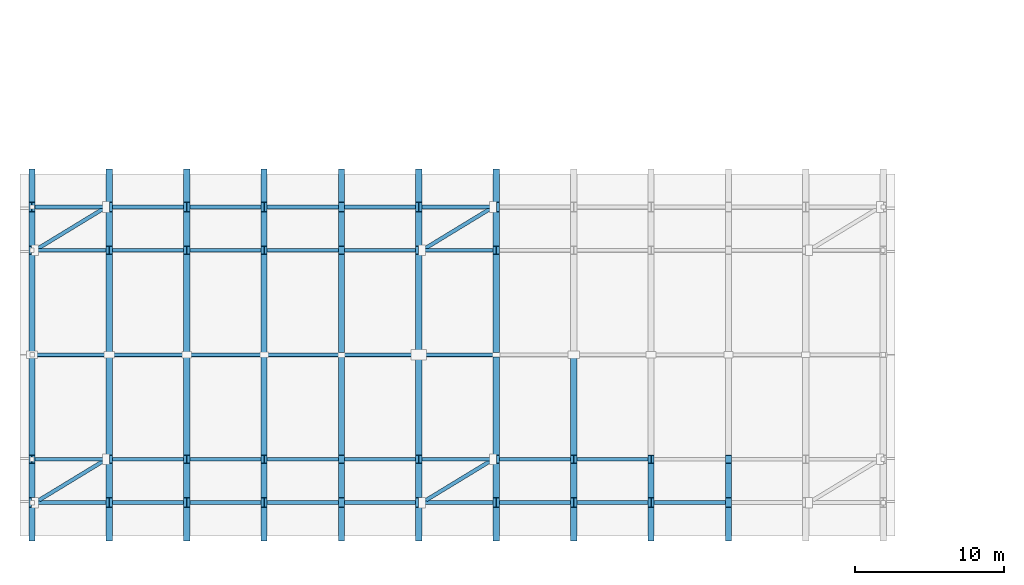
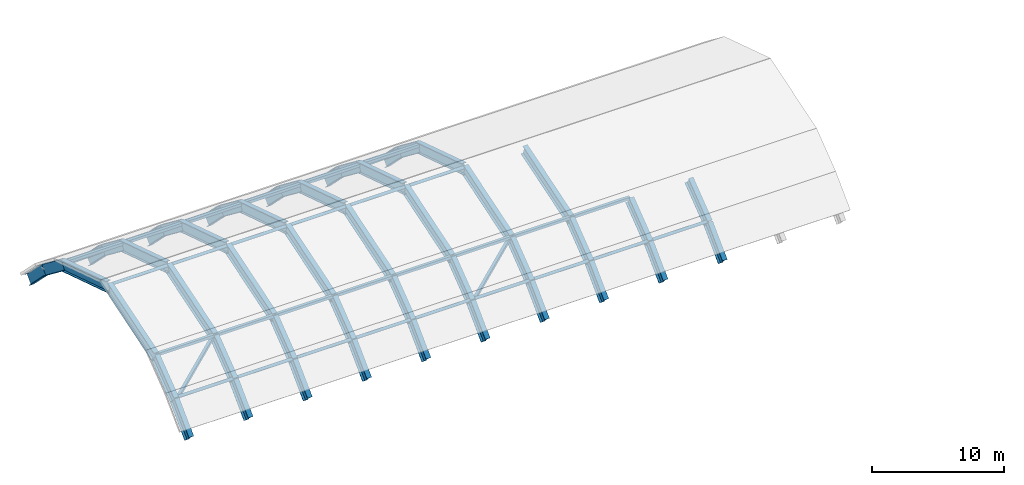
# One storey, part 1 of 6: 49 beams, 39 members.
"""IFC4 building model written with IfcOpenShell, lengths in metres."""

from ifc_helpers import new_model, si_unit, direction, frame, origin, origin_2d, place, context, subcontext, project, spatial, hollow_rectangle, hollow_circle, i_section, extrude, material, material_profile, profile_set, type_object, element, save


model = new_model("IFC4")

# Units and contexts
model_context = context("Model", 3, precision=1e-05, world=origin(), true_north=direction((0.0, 1.0)))
body_context = subcontext(model_context, "Body", "Model", "MODEL_VIEW")
ifc_project = project(units=[si_unit("LENGTHUNIT", "METRE"), si_unit("AREAUNIT", "SQUARE_METRE"), si_unit("VOLUMEUNIT", "CUBIC_METRE"), si_unit("PLANEANGLEUNIT", "RADIAN"), si_unit("MASSUNIT", "GRAM", prefix="KILO")], contexts=[model_context])

# Site, building, storey
site_placement = place(None, origin())
site = spatial("IfcSite", under=ifc_project, at=site_placement, CompositionType="ELEMENT")
building_placement = place(site_placement, origin())
building = spatial("IfcBuilding", under=site, at=building_placement, Name="Solvento Point Concert Hall", CompositionType="ELEMENT")
storey_placement = place(building_placement, frame((0.0, 0.0, 27.89990234375)))
storey = spatial("IfcBuildingStorey", under=building, at=storey_placement, Name="RF", CompositionType="ELEMENT", Elevation=27.89990234375)

# Beams
ifc_material_1 = material(Name="Structural Steel ASTM A992 Grade 50", Category="steel")
ifc_material_profile_1 = material_profile(ifc_material_1, i_section(OverallWidth=0.423095703125, OverallDepth=0.947998046875, WebThickness=0.02392578125, FlangeThickness=0.042724609375, at=origin_2d()), Name="W36X302")
ifc_profile_set_1 = profile_set([ifc_material_profile_1], Name="Structural Steel ASTM A992 Grade 50")
beam_type = type_object("IfcBeamType", Name="ArchRib_W36X302", PredefinedType="BEAM", material=ifc_profile_set_1)
beam_1_placement = place(storey_placement, frame((75.199951171875, 55.837890625, -2.349853515625), z_axis=(0.0, 0.706874752729, 0.707338733532), x_axis=(-1.0, 0.0, 0.0)))
element("IfcBeam", 1, at=beam_1_placement, inside=storey, type_object=beam_type, Name="Steel arch rib AR-01 bay 1 seg 4", PredefinedType="BEAM", context=body_context, shape_type="SweptSolid", body=[
    extrude(i_section(OverallWidth=0.423095703125, OverallDepth=0.947998046875, WebThickness=0.02392578125, FlangeThickness=0.042724609375, at=origin_2d()), origin(), (0.0, 0.0, 1.0), 3.1572265625),
])
beam_2_placement = place(storey_placement, frame((75.199951171875, 58.069580078125, -0.11669921875), z_axis=(0.0, 0.793133559285, 0.609047746188), x_axis=(-1.0, 0.0, 0.0)))
element("IfcBeam", 2, at=beam_2_placement, inside=storey, type_object=beam_type, Name="Steel arch rib AR-01 bay 1 seg 5", PredefinedType="BEAM", context=body_context, shape_type="SweptSolid", body=[
    extrude(i_section(OverallWidth=0.423095703125, OverallDepth=0.947998046875, WebThickness=0.02392578125, FlangeThickness=0.042724609375, at=origin_2d()), origin(), (0.0, 0.0, 1.0), 3.6669921875),
])
for number, where, z_axis, x_axis, name in (
    (3, (75.199951171875, 60.97802734375, 2.11669921875), (0.0, 0.952959714751, 0.303096984582), (-1.0, 0.0, 0.0), "Steel arch rib AR-01 bay 1 seg 6"),
    (4, (75.199951171875, 68.0, 4.35009765625), (0.0, 0.952959714751, -0.303096984582), (-1.0, 0.0, 0.0), "Steel arch rib AR-01 bay 1 seg 7"),
):
    element("IfcBeam", number, at=place(storey_placement, frame(where, z_axis=z_axis, x_axis=x_axis)), inside=storey, type_object=beam_type, Name=name, PredefinedType="BEAM", context=body_context, shape_type="SweptSolid", body=[
        extrude(i_section(OverallWidth=0.423095703125, OverallDepth=0.947998046875, WebThickness=0.02392578125, FlangeThickness=0.042724609375, at=origin_2d()), origin(), (0.0, 0.0, 1.0), 7.36865234375),
    ])
beam_3_placement = place(storey_placement, frame((75.199951171875, 75.02197265625, 2.11669921875), z_axis=(0.0, 0.793133559285, -0.609047746188), x_axis=(-1.0, 0.0, 0.0)))
element("IfcBeam", 5, at=beam_3_placement, inside=storey, type_object=beam_type, Name="Steel arch rib AR-01 bay 1 seg 8", PredefinedType="BEAM", context=body_context, shape_type="SweptSolid", body=[
    extrude(i_section(OverallWidth=0.423095703125, OverallDepth=0.947998046875, WebThickness=0.02392578125, FlangeThickness=0.042724609375, at=origin_2d()), origin(), (0.0, 0.0, 1.0), 3.6669921875),
])
for number, where, z_axis, x_axis, name in (
    (6, (75.199951171875, 77.930419921875, -0.11669921875), (0.0, 0.706874752729, -0.707338733532), (-1.0, 0.0, 0.0), "Steel arch rib AR-01 bay 1 seg 9"),
    (7, (80.39990234375, 55.837890625, -2.349853515625), (0.0, 0.706874752729, 0.707338733532), (-1.0, 0.0, 0.0), "Steel arch rib AR-01 bay 2 seg 4"),
):
    element("IfcBeam", number, at=place(storey_placement, frame(where, z_axis=z_axis, x_axis=x_axis)), inside=storey, type_object=beam_type, Name=name, PredefinedType="BEAM", context=body_context, shape_type="SweptSolid", body=[
        extrude(i_section(OverallWidth=0.423095703125, OverallDepth=0.947998046875, WebThickness=0.02392578125, FlangeThickness=0.042724609375, at=origin_2d()), origin(), (0.0, 0.0, 1.0), 3.1572265625),
    ])
beam_4_placement = place(storey_placement, frame((80.39990234375, 58.069580078125, -0.11669921875), z_axis=(0.0, 0.793133559285, 0.609047746188), x_axis=(-1.0, 0.0, 0.0)))
element("IfcBeam", 8, at=beam_4_placement, inside=storey, type_object=beam_type, Name="Steel arch rib AR-01 bay 2 seg 5", PredefinedType="BEAM", context=body_context, shape_type="SweptSolid", body=[
    extrude(i_section(OverallWidth=0.423095703125, OverallDepth=0.947998046875, WebThickness=0.02392578125, FlangeThickness=0.042724609375, at=origin_2d()), origin(), (0.0, 0.0, 1.0), 3.6669921875),
])
for number, where, z_axis, x_axis, name in (
    (9, (80.39990234375, 60.97802734375, 2.11669921875), (0.0, 0.952959714751, 0.303096984582), (-1.0, 0.0, 0.0), "Steel arch rib AR-01 bay 2 seg 6"),
    (10, (80.39990234375, 68.0, 4.35009765625), (0.0, 0.952959714751, -0.303096984582), (-1.0, 0.0, 0.0), "Steel arch rib AR-01 bay 2 seg 7"),
):
    element("IfcBeam", number, at=place(storey_placement, frame(where, z_axis=z_axis, x_axis=x_axis)), inside=storey, type_object=beam_type, Name=name, PredefinedType="BEAM", context=body_context, shape_type="SweptSolid", body=[
        extrude(i_section(OverallWidth=0.423095703125, OverallDepth=0.947998046875, WebThickness=0.02392578125, FlangeThickness=0.042724609375, at=origin_2d()), origin(), (0.0, 0.0, 1.0), 7.36865234375),
    ])
beam_5_placement = place(storey_placement, frame((80.39990234375, 75.02197265625, 2.11669921875), z_axis=(0.0, 0.793133559285, -0.609047746188), x_axis=(-1.0, 0.0, 0.0)))
element("IfcBeam", 11, at=beam_5_placement, inside=storey, type_object=beam_type, Name="Steel arch rib AR-01 bay 2 seg 8", PredefinedType="BEAM", context=body_context, shape_type="SweptSolid", body=[
    extrude(i_section(OverallWidth=0.423095703125, OverallDepth=0.947998046875, WebThickness=0.02392578125, FlangeThickness=0.042724609375, at=origin_2d()), origin(), (0.0, 0.0, 1.0), 3.6669921875),
])
for number, where, z_axis, x_axis, name in (
    (12, (80.39990234375, 77.930419921875, -0.11669921875), (0.0, 0.706874752729, -0.707338733532), (-1.0, 0.0, 0.0), "Steel arch rib AR-01 bay 2 seg 9"),
    (13, (85.60009765625, 55.837890625, -2.349853515625), (0.0, 0.706874752729, 0.707338733532), (-1.0, 0.0, 0.0), "Steel arch rib AR-01 bay 3 seg 4"),
):
    element("IfcBeam", number, at=place(storey_placement, frame(where, z_axis=z_axis, x_axis=x_axis)), inside=storey, type_object=beam_type, Name=name, PredefinedType="BEAM", context=body_context, shape_type="SweptSolid", body=[
        extrude(i_section(OverallWidth=0.423095703125, OverallDepth=0.947998046875, WebThickness=0.02392578125, FlangeThickness=0.042724609375, at=origin_2d()), origin(), (0.0, 0.0, 1.0), 3.1572265625),
    ])
beam_6_placement = place(storey_placement, frame((85.60009765625, 58.069580078125, -0.11669921875), z_axis=(0.0, 0.793133559285, 0.609047746188), x_axis=(-1.0, 0.0, 0.0)))
element("IfcBeam", 14, at=beam_6_placement, inside=storey, type_object=beam_type, Name="Steel arch rib AR-01 bay 3 seg 5", PredefinedType="BEAM", context=body_context, shape_type="SweptSolid", body=[
    extrude(i_section(OverallWidth=0.423095703125, OverallDepth=0.947998046875, WebThickness=0.02392578125, FlangeThickness=0.042724609375, at=origin_2d()), origin(), (0.0, 0.0, 1.0), 3.6669921875),
])
for number, where, z_axis, x_axis, name in (
    (15, (85.60009765625, 60.97802734375, 2.11669921875), (0.0, 0.952959714751, 0.303096984582), (-1.0, 0.0, 0.0), "Steel arch rib AR-01 bay 3 seg 6"),
    (16, (85.60009765625, 68.0, 4.35009765625), (0.0, 0.952959714751, -0.303096984582), (-1.0, 0.0, 0.0), "Steel arch rib AR-01 bay 3 seg 7"),
):
    element("IfcBeam", number, at=place(storey_placement, frame(where, z_axis=z_axis, x_axis=x_axis)), inside=storey, type_object=beam_type, Name=name, PredefinedType="BEAM", context=body_context, shape_type="SweptSolid", body=[
        extrude(i_section(OverallWidth=0.423095703125, OverallDepth=0.947998046875, WebThickness=0.02392578125, FlangeThickness=0.042724609375, at=origin_2d()), origin(), (0.0, 0.0, 1.0), 7.36865234375),
    ])
beam_7_placement = place(storey_placement, frame((85.60009765625, 75.02197265625, 2.11669921875), z_axis=(0.0, 0.793133559285, -0.609047746188), x_axis=(-1.0, 0.0, 0.0)))
element("IfcBeam", 17, at=beam_7_placement, inside=storey, type_object=beam_type, Name="Steel arch rib AR-01 bay 3 seg 8", PredefinedType="BEAM", context=body_context, shape_type="SweptSolid", body=[
    extrude(i_section(OverallWidth=0.423095703125, OverallDepth=0.947998046875, WebThickness=0.02392578125, FlangeThickness=0.042724609375, at=origin_2d()), origin(), (0.0, 0.0, 1.0), 3.6669921875),
])
for number, where, z_axis, x_axis, name in (
    (18, (85.60009765625, 77.930419921875, -0.11669921875), (0.0, 0.706874752729, -0.707338733532), (-1.0, 0.0, 0.0), "Steel arch rib AR-01 bay 3 seg 9"),
    (19, (90.800048828125, 55.837890625, -2.349853515625), (0.0, 0.706874752729, 0.707338733532), (-1.0, 0.0, 0.0), "Steel arch rib AR-01 bay 4 seg 4"),
):
    element("IfcBeam", number, at=place(storey_placement, frame(where, z_axis=z_axis, x_axis=x_axis)), inside=storey, type_object=beam_type, Name=name, PredefinedType="BEAM", context=body_context, shape_type="SweptSolid", body=[
        extrude(i_section(OverallWidth=0.423095703125, OverallDepth=0.947998046875, WebThickness=0.02392578125, FlangeThickness=0.042724609375, at=origin_2d()), origin(), (0.0, 0.0, 1.0), 3.1572265625),
    ])
beam_8_placement = place(storey_placement, frame((90.800048828125, 58.069580078125, -0.11669921875), z_axis=(0.0, 0.793133559285, 0.609047746188), x_axis=(-1.0, 0.0, 0.0)))
element("IfcBeam", 20, at=beam_8_placement, inside=storey, type_object=beam_type, Name="Steel arch rib AR-01 bay 4 seg 5", PredefinedType="BEAM", context=body_context, shape_type="SweptSolid", body=[
    extrude(i_section(OverallWidth=0.423095703125, OverallDepth=0.947998046875, WebThickness=0.02392578125, FlangeThickness=0.042724609375, at=origin_2d()), origin(), (0.0, 0.0, 1.0), 3.6669921875),
])
for number, where, z_axis, x_axis, name in (
    (21, (90.800048828125, 60.97802734375, 2.11669921875), (0.0, 0.952959714751, 0.303096984582), (-1.0, 0.0, 0.0), "Steel arch rib AR-01 bay 4 seg 6"),
    (22, (90.800048828125, 68.0, 4.35009765625), (0.0, 0.952959714751, -0.303096984582), (-1.0, 0.0, 0.0), "Steel arch rib AR-01 bay 4 seg 7"),
):
    element("IfcBeam", number, at=place(storey_placement, frame(where, z_axis=z_axis, x_axis=x_axis)), inside=storey, type_object=beam_type, Name=name, PredefinedType="BEAM", context=body_context, shape_type="SweptSolid", body=[
        extrude(i_section(OverallWidth=0.423095703125, OverallDepth=0.947998046875, WebThickness=0.02392578125, FlangeThickness=0.042724609375, at=origin_2d()), origin(), (0.0, 0.0, 1.0), 7.36865234375),
    ])
beam_9_placement = place(storey_placement, frame((90.800048828125, 75.02197265625, 2.11669921875), z_axis=(0.0, 0.793133559285, -0.609047746188), x_axis=(-1.0, 0.0, 0.0)))
element("IfcBeam", 23, at=beam_9_placement, inside=storey, type_object=beam_type, Name="Steel arch rib AR-01 bay 4 seg 8", PredefinedType="BEAM", context=body_context, shape_type="SweptSolid", body=[
    extrude(i_section(OverallWidth=0.423095703125, OverallDepth=0.947998046875, WebThickness=0.02392578125, FlangeThickness=0.042724609375, at=origin_2d()), origin(), (0.0, 0.0, 1.0), 3.6669921875),
])
for number, where, z_axis, x_axis, name in (
    (24, (90.800048828125, 77.930419921875, -0.11669921875), (0.0, 0.706874752729, -0.707338733532), (-1.0, 0.0, 0.0), "Steel arch rib AR-01 bay 4 seg 9"),
    (25, (96.0, 55.837890625, -2.349853515625), (0.0, 0.706874752729, 0.707338733532), (-1.0, 0.0, 0.0), "Steel arch rib AR-01 bay 5 seg 4"),
):
    element("IfcBeam", number, at=place(storey_placement, frame(where, z_axis=z_axis, x_axis=x_axis)), inside=storey, type_object=beam_type, Name=name, PredefinedType="BEAM", context=body_context, shape_type="SweptSolid", body=[
        extrude(i_section(OverallWidth=0.423095703125, OverallDepth=0.947998046875, WebThickness=0.02392578125, FlangeThickness=0.042724609375, at=origin_2d()), origin(), (0.0, 0.0, 1.0), 3.1572265625),
    ])
beam_10_placement = place(storey_placement, frame((96.0, 58.069580078125, -0.11669921875), z_axis=(0.0, 0.793133559285, 0.609047746188), x_axis=(-1.0, 0.0, 0.0)))
element("IfcBeam", 26, at=beam_10_placement, inside=storey, type_object=beam_type, Name="Steel arch rib AR-01 bay 5 seg 5", PredefinedType="BEAM", context=body_context, shape_type="SweptSolid", body=[
    extrude(i_section(OverallWidth=0.423095703125, OverallDepth=0.947998046875, WebThickness=0.02392578125, FlangeThickness=0.042724609375, at=origin_2d()), origin(), (0.0, 0.0, 1.0), 3.6669921875),
])
for number, where, z_axis, x_axis, name in (
    (27, (96.0, 60.97802734375, 2.11669921875), (0.0, 0.952959714751, 0.303096984582), (-1.0, 0.0, 0.0), "Steel arch rib AR-01 bay 5 seg 6"),
    (28, (96.0, 68.0, 4.35009765625), (0.0, 0.952959714751, -0.303096984582), (-1.0, 0.0, 0.0), "Steel arch rib AR-01 bay 5 seg 7"),
):
    element("IfcBeam", number, at=place(storey_placement, frame(where, z_axis=z_axis, x_axis=x_axis)), inside=storey, type_object=beam_type, Name=name, PredefinedType="BEAM", context=body_context, shape_type="SweptSolid", body=[
        extrude(i_section(OverallWidth=0.423095703125, OverallDepth=0.947998046875, WebThickness=0.02392578125, FlangeThickness=0.042724609375, at=origin_2d()), origin(), (0.0, 0.0, 1.0), 7.36865234375),
    ])
beam_11_placement = place(storey_placement, frame((96.0, 75.02197265625, 2.11669921875), z_axis=(0.0, 0.793133559285, -0.609047746188), x_axis=(-1.0, 0.0, 0.0)))
element("IfcBeam", 29, at=beam_11_placement, inside=storey, type_object=beam_type, Name="Steel arch rib AR-01 bay 5 seg 8", PredefinedType="BEAM", context=body_context, shape_type="SweptSolid", body=[
    extrude(i_section(OverallWidth=0.423095703125, OverallDepth=0.947998046875, WebThickness=0.02392578125, FlangeThickness=0.042724609375, at=origin_2d()), origin(), (0.0, 0.0, 1.0), 3.6669921875),
])
for number, where, z_axis, x_axis, name in (
    (30, (96.0, 77.930419921875, -0.11669921875), (0.0, 0.706874752729, -0.707338733532), (-1.0, 0.0, 0.0), "Steel arch rib AR-01 bay 5 seg 9"),
    (31, (101.199951171875, 55.837890625, -2.349853515625), (0.0, 0.706874752729, 0.707338733532), (-1.0, 0.0, 0.0), "Steel arch rib AR-01 bay 6 seg 4"),
):
    element("IfcBeam", number, at=place(storey_placement, frame(where, z_axis=z_axis, x_axis=x_axis)), inside=storey, type_object=beam_type, Name=name, PredefinedType="BEAM", context=body_context, shape_type="SweptSolid", body=[
        extrude(i_section(OverallWidth=0.423095703125, OverallDepth=0.947998046875, WebThickness=0.02392578125, FlangeThickness=0.042724609375, at=origin_2d()), origin(), (0.0, 0.0, 1.0), 3.1572265625),
    ])
beam_12_placement = place(storey_placement, frame((101.199951171875, 58.069580078125, -0.11669921875), z_axis=(0.0, 0.793133559285, 0.609047746188), x_axis=(-1.0, 0.0, 0.0)))
element("IfcBeam", 32, at=beam_12_placement, inside=storey, type_object=beam_type, Name="Steel arch rib AR-01 bay 6 seg 5", PredefinedType="BEAM", context=body_context, shape_type="SweptSolid", body=[
    extrude(i_section(OverallWidth=0.423095703125, OverallDepth=0.947998046875, WebThickness=0.02392578125, FlangeThickness=0.042724609375, at=origin_2d()), origin(), (0.0, 0.0, 1.0), 3.6669921875),
])
for number, where, z_axis, x_axis, name in (
    (33, (101.199951171875, 60.97802734375, 2.11669921875), (0.0, 0.952959714751, 0.303096984582), (-1.0, 0.0, 0.0), "Steel arch rib AR-01 bay 6 seg 6"),
    (34, (101.199951171875, 68.0, 4.35009765625), (0.0, 0.952959714751, -0.303096984582), (-1.0, 0.0, 0.0), "Steel arch rib AR-01 bay 6 seg 7"),
):
    element("IfcBeam", number, at=place(storey_placement, frame(where, z_axis=z_axis, x_axis=x_axis)), inside=storey, type_object=beam_type, Name=name, PredefinedType="BEAM", context=body_context, shape_type="SweptSolid", body=[
        extrude(i_section(OverallWidth=0.423095703125, OverallDepth=0.947998046875, WebThickness=0.02392578125, FlangeThickness=0.042724609375, at=origin_2d()), origin(), (0.0, 0.0, 1.0), 7.36865234375),
    ])
beam_13_placement = place(storey_placement, frame((101.199951171875, 75.02197265625, 2.11669921875), z_axis=(0.0, 0.793133559285, -0.609047746188), x_axis=(-1.0, 0.0, 0.0)))
element("IfcBeam", 35, at=beam_13_placement, inside=storey, type_object=beam_type, Name="Steel arch rib AR-01 bay 6 seg 8", PredefinedType="BEAM", context=body_context, shape_type="SweptSolid", body=[
    extrude(i_section(OverallWidth=0.423095703125, OverallDepth=0.947998046875, WebThickness=0.02392578125, FlangeThickness=0.042724609375, at=origin_2d()), origin(), (0.0, 0.0, 1.0), 3.6669921875),
])
for number, where, z_axis, x_axis, name in (
    (36, (101.199951171875, 77.930419921875, -0.11669921875), (0.0, 0.706874752729, -0.707338733532), (-1.0, 0.0, 0.0), "Steel arch rib AR-01 bay 6 seg 9"),
    (37, (106.39990234375, 55.837890625, -2.349853515625), (0.0, 0.706874752729, 0.707338733532), (-1.0, 0.0, 0.0), "Steel arch rib AR-01 bay 7 seg 4"),
):
    element("IfcBeam", number, at=place(storey_placement, frame(where, z_axis=z_axis, x_axis=x_axis)), inside=storey, type_object=beam_type, Name=name, PredefinedType="BEAM", context=body_context, shape_type="SweptSolid", body=[
        extrude(i_section(OverallWidth=0.423095703125, OverallDepth=0.947998046875, WebThickness=0.02392578125, FlangeThickness=0.042724609375, at=origin_2d()), origin(), (0.0, 0.0, 1.0), 3.1572265625),
    ])
beam_14_placement = place(storey_placement, frame((106.39990234375, 58.069580078125, -0.11669921875), z_axis=(0.0, 0.793133559285, 0.609047746188), x_axis=(-1.0, 0.0, 0.0)))
element("IfcBeam", 38, at=beam_14_placement, inside=storey, type_object=beam_type, Name="Steel arch rib AR-01 bay 7 seg 5", PredefinedType="BEAM", context=body_context, shape_type="SweptSolid", body=[
    extrude(i_section(OverallWidth=0.423095703125, OverallDepth=0.947998046875, WebThickness=0.02392578125, FlangeThickness=0.042724609375, at=origin_2d()), origin(), (0.0, 0.0, 1.0), 3.6669921875),
])
for number, where, z_axis, x_axis, name in (
    (39, (106.39990234375, 60.97802734375, 2.11669921875), (0.0, 0.952959714751, 0.303096984582), (-1.0, 0.0, 0.0), "Steel arch rib AR-01 bay 7 seg 6"),
    (40, (106.39990234375, 68.0, 4.35009765625), (0.0, 0.952959714751, -0.303096984582), (-1.0, 0.0, 0.0), "Steel arch rib AR-01 bay 7 seg 7"),
):
    element("IfcBeam", number, at=place(storey_placement, frame(where, z_axis=z_axis, x_axis=x_axis)), inside=storey, type_object=beam_type, Name=name, PredefinedType="BEAM", context=body_context, shape_type="SweptSolid", body=[
        extrude(i_section(OverallWidth=0.423095703125, OverallDepth=0.947998046875, WebThickness=0.02392578125, FlangeThickness=0.042724609375, at=origin_2d()), origin(), (0.0, 0.0, 1.0), 7.36865234375),
    ])
beam_15_placement = place(storey_placement, frame((106.39990234375, 75.02197265625, 2.11669921875), z_axis=(0.0, 0.793133559285, -0.609047746188), x_axis=(-1.0, 0.0, 0.0)))
element("IfcBeam", 41, at=beam_15_placement, inside=storey, type_object=beam_type, Name="Steel arch rib AR-01 bay 7 seg 8", PredefinedType="BEAM", context=body_context, shape_type="SweptSolid", body=[
    extrude(i_section(OverallWidth=0.423095703125, OverallDepth=0.947998046875, WebThickness=0.02392578125, FlangeThickness=0.042724609375, at=origin_2d()), origin(), (0.0, 0.0, 1.0), 3.6669921875),
])
for number, where, z_axis, x_axis, name in (
    (42, (106.39990234375, 77.930419921875, -0.11669921875), (0.0, 0.706874752729, -0.707338733532), (-1.0, 0.0, 0.0), "Steel arch rib AR-01 bay 7 seg 9"),
    (43, (111.60009765625, 55.837890625, -2.349853515625), (0.0, 0.706874752729, 0.707338733532), (-1.0, 0.0, 0.0), "Steel arch rib AR-01 bay 8 seg 4"),
):
    element("IfcBeam", number, at=place(storey_placement, frame(where, z_axis=z_axis, x_axis=x_axis)), inside=storey, type_object=beam_type, Name=name, PredefinedType="BEAM", context=body_context, shape_type="SweptSolid", body=[
        extrude(i_section(OverallWidth=0.423095703125, OverallDepth=0.947998046875, WebThickness=0.02392578125, FlangeThickness=0.042724609375, at=origin_2d()), origin(), (0.0, 0.0, 1.0), 3.1572265625),
    ])
beam_16_placement = place(storey_placement, frame((111.60009765625, 58.069580078125, -0.11669921875), z_axis=(0.0, 0.793133559285, 0.609047746188), x_axis=(-1.0, 0.0, 0.0)))
element("IfcBeam", 44, at=beam_16_placement, inside=storey, type_object=beam_type, Name="Steel arch rib AR-01 bay 8 seg 5", PredefinedType="BEAM", context=body_context, shape_type="SweptSolid", body=[
    extrude(i_section(OverallWidth=0.423095703125, OverallDepth=0.947998046875, WebThickness=0.02392578125, FlangeThickness=0.042724609375, at=origin_2d()), origin(), (0.0, 0.0, 1.0), 3.6669921875),
])
beam_17_placement = place(storey_placement, frame((111.60009765625, 60.97802734375, 2.11669921875), z_axis=(0.0, 0.952959714751, 0.303096984582), x_axis=(-1.0, 0.0, 0.0)))
element("IfcBeam", 45, at=beam_17_placement, inside=storey, type_object=beam_type, Name="Steel arch rib AR-01 bay 8 seg 6", PredefinedType="BEAM", context=body_context, shape_type="SweptSolid", body=[
    extrude(i_section(OverallWidth=0.423095703125, OverallDepth=0.947998046875, WebThickness=0.02392578125, FlangeThickness=0.042724609375, at=origin_2d()), origin(), (0.0, 0.0, 1.0), 7.36865234375),
])
beam_18_placement = place(storey_placement, frame((116.800048828125, 55.837890625, -2.349853515625), z_axis=(0.0, 0.706874752729, 0.707338733532), x_axis=(-1.0, 0.0, 0.0)))
element("IfcBeam", 46, at=beam_18_placement, inside=storey, type_object=beam_type, Name="Steel arch rib AR-01 bay 9 seg 4", PredefinedType="BEAM", context=body_context, shape_type="SweptSolid", body=[
    extrude(i_section(OverallWidth=0.423095703125, OverallDepth=0.947998046875, WebThickness=0.02392578125, FlangeThickness=0.042724609375, at=origin_2d()), origin(), (0.0, 0.0, 1.0), 3.1572265625),
])
beam_19_placement = place(storey_placement, frame((116.800048828125, 58.069580078125, -0.11669921875), z_axis=(0.0, 0.793133559285, 0.609047746188), x_axis=(-1.0, 0.0, 0.0)))
element("IfcBeam", 47, at=beam_19_placement, inside=storey, type_object=beam_type, Name="Steel arch rib AR-01 bay 9 seg 5", PredefinedType="BEAM", context=body_context, shape_type="SweptSolid", body=[
    extrude(i_section(OverallWidth=0.423095703125, OverallDepth=0.947998046875, WebThickness=0.02392578125, FlangeThickness=0.042724609375, at=origin_2d()), origin(), (0.0, 0.0, 1.0), 3.6669921875),
])
beam_20_placement = place(storey_placement, frame((122.0, 55.837890625, -2.349853515625), z_axis=(0.0, 0.706874752729, 0.707338733532), x_axis=(-1.0, 0.0, 0.0)))
element("IfcBeam", 48, at=beam_20_placement, inside=storey, type_object=beam_type, Name="Steel arch rib AR-01 bay 10 seg 4", PredefinedType="BEAM", context=body_context, shape_type="SweptSolid", body=[
    extrude(i_section(OverallWidth=0.423095703125, OverallDepth=0.947998046875, WebThickness=0.02392578125, FlangeThickness=0.042724609375, at=origin_2d()), origin(), (0.0, 0.0, 1.0), 3.1572265625),
])
beam_21_placement = place(storey_placement, frame((122.0, 58.069580078125, -0.11669921875), z_axis=(0.0, 0.793133559285, 0.609047746188), x_axis=(-1.0, 0.0, 0.0)))
element("IfcBeam", 49, at=beam_21_placement, inside=storey, type_object=beam_type, Name="Steel arch rib AR-01 bay 10 seg 5", PredefinedType="BEAM", context=body_context, shape_type="SweptSolid", body=[
    extrude(i_section(OverallWidth=0.423095703125, OverallDepth=0.947998046875, WebThickness=0.02392578125, FlangeThickness=0.042724609375, at=origin_2d()), origin(), (0.0, 0.0, 1.0), 3.6669921875),
])

# Members
ifc_material_2 = material(Name="Structural Steel ASTM A500 Grade C", Category="steel")
ifc_material_profile_2 = material_profile(ifc_material_2, hollow_rectangle(XDim=0.25390625, YDim=0.25390625, WallThickness=0.01171875, at=origin_2d()), Name="HSS10X10X1/2")
ifc_profile_set_2 = profile_set([ifc_material_profile_2], Name="Structural Steel ASTM A500 Grade C")
member_type_1 = type_object("IfcMemberType", Name="ShellBrace_HSS10", PredefinedType="BRACE", material=ifc_profile_set_2)
for number, where, z_axis, x_axis, name in (
    (50, (75.41162109375, 58.069580078125, -0.11669921875), (0.793223135873, 0.482963672577, 0.370868100121), (-0.520050809607, 0.854135326179, 0.0), "Acoustic shell lateral brace M"),
    (51, (75.41162109375, 75.02197265625, 2.11669921875), (0.793223135873, 0.482963672577, -0.370868100121), (-0.520050809607, 0.854135326179, 0.0), "Acoustic shell lateral brace M"),
    (52, (101.41162109375, 58.069580078125, -0.11669921875), (0.793223135873, 0.482963672577, 0.370868100121), (-0.520050809607, 0.854135326179, 0.0), "Acoustic shell lateral brace M"),
    (53, (101.41162109375, 75.02197265625, 2.11669921875), (0.793223135873, 0.482963672577, -0.370868100121), (-0.520050809607, 0.854135326179, 0.0), "Acoustic shell lateral brace M"),
):
    element("IfcMember", number, at=place(storey_placement, frame(where, z_axis=z_axis, x_axis=x_axis)), inside=storey, type_object=member_type_1, Name=name, PredefinedType="BRACE", context=body_context, shape_type="SweptSolid", body=[
        extrude(hollow_rectangle(XDim=0.25390625, YDim=0.25390625, WallThickness=0.01171875, at=origin_2d()), origin(), (0.0, 0.0, 1.0), 6.02197265625),
    ])
ifc_material_3 = material(Name="Structural Steel ASTM A500 Grade C", Category="steel")
ifc_material_profile_3 = material_profile(ifc_material_3, hollow_circle(Radius=0.136474609375, WallThickness=0.012451171875, at=origin_2d()), Name="CHS273X12.5")
ifc_profile_set_3 = profile_set([ifc_material_profile_3], Name="Structural Steel ASTM A500 Grade C")
member_type_2 = type_object("IfcMemberType", Name="ShellPurlin_CHS273", PredefinedType="PURLIN", material=ifc_profile_set_3)
for number, where, z_axis, x_axis, name in (
    (54, (75.215087890625, 58.069580078125, 0.053466796875), (1.0, 0.0, 0.0), (0.0, 1.0, 0.0), "Acoustic shell steel purlin M-54"),
    (55, (75.215087890625, 68.0, 4.52001953125), (1.0, 0.0, 0.0), (0.0, 1.0, 0.0), "Acoustic shell steel purlin M-54"),
    (56, (75.215087890625, 77.930419921875, 0.053466796875), (1.0, 0.0, 0.0), (0.0, 1.0, 0.0), "Acoustic shell steel purlin M-54"),
    (57, (80.4150390625, 58.069580078125, 0.053466796875), (1.0, 0.0, 0.0), (0.0, 1.0, 0.0), "Acoustic shell steel purlin M-54"),
    (58, (80.4150390625, 68.0, 4.52001953125), (1.0, 0.0, 0.0), (0.0, 1.0, 0.0), "Acoustic shell steel purlin M-54"),
    (59, (80.4150390625, 77.930419921875, 0.053466796875), (1.0, 0.0, 0.0), (0.0, 1.0, 0.0), "Acoustic shell steel purlin M-54"),
    (60, (85.614990234375, 58.069580078125, 0.053466796875), (1.0, 0.0, 0.0), (0.0, 1.0, 0.0), "Acoustic shell steel purlin M-54"),
    (61, (85.614990234375, 68.0, 4.52001953125), (1.0, 0.0, 0.0), (0.0, 1.0, 0.0), "Acoustic shell steel purlin M-54"),
    (62, (85.614990234375, 77.930419921875, 0.053466796875), (1.0, 0.0, 0.0), (0.0, 1.0, 0.0), "Acoustic shell steel purlin M-54"),
):
    element("IfcMember", number, at=place(storey_placement, frame(where, z_axis=z_axis, x_axis=x_axis)), inside=storey, type_object=member_type_2, Name=name, PredefinedType="PURLIN", context=body_context, shape_type="SweptSolid", body=[
        extrude(hollow_circle(Radius=0.136474609375, WallThickness=0.012451171875, at=origin_2d()), origin(), (0.0, 0.0, 1.0), 5.169921875),
    ])
for number, where, z_axis, x_axis, name in (
    (63, (90.81494140625, 58.069580078125, 0.053466796875), (1.0, 0.0, 0.0), (0.0, 1.0, 0.0), "Acoustic shell steel purlin M-54"),
    (64, (90.81494140625, 68.0, 4.52001953125), (1.0, 0.0, 0.0), (0.0, 1.0, 0.0), "Acoustic shell steel purlin M-54"),
    (65, (90.81494140625, 77.930419921875, 0.053466796875), (1.0, 0.0, 0.0), (0.0, 1.0, 0.0), "Acoustic shell steel purlin M-54"),
    (66, (96.014892578125, 58.069580078125, 0.053466796875), (1.0, 0.0, 0.0), (0.0, 1.0, 0.0), "Acoustic shell steel purlin M-54"),
    (67, (96.014892578125, 68.0, 4.52001953125), (1.0, 0.0, 0.0), (0.0, 1.0, 0.0), "Acoustic shell steel purlin M-54"),
    (68, (96.014892578125, 77.930419921875, 0.053466796875), (1.0, 0.0, 0.0), (0.0, 1.0, 0.0), "Acoustic shell steel purlin M-54"),
):
    element("IfcMember", number, at=place(storey_placement, frame(where, z_axis=z_axis, x_axis=x_axis)), inside=storey, type_object=member_type_2, Name=name, PredefinedType="PURLIN", context=body_context, shape_type="SweptSolid", body=[
        extrude(hollow_circle(Radius=0.136474609375, WallThickness=0.012451171875, at=origin_2d()), origin(), (0.0, 0.0, 1.0), 5.170166015625),
    ])
for number, where, z_axis, x_axis, name in (
    (69, (101.215087890625, 58.069580078125, 0.053466796875), (1.0, 0.0, 0.0), (0.0, 1.0, 0.0), "Acoustic shell steel purlin M-54"),
    (70, (101.215087890625, 68.0, 4.52001953125), (1.0, 0.0, 0.0), (0.0, 1.0, 0.0), "Acoustic shell steel purlin M-54"),
    (71, (101.215087890625, 77.930419921875, 0.053466796875), (1.0, 0.0, 0.0), (0.0, 1.0, 0.0), "Acoustic shell steel purlin M-54"),
    (72, (106.4150390625, 58.069580078125, 0.053466796875), (1.0, 0.0, 0.0), (0.0, 1.0, 0.0), "Acoustic shell steel purlin M-54"),
    (73, (111.614990234375, 58.069580078125, 0.053466796875), (1.0, 0.0, 0.0), (0.0, 1.0, 0.0), "Acoustic shell steel purlin M-54"),
):
    element("IfcMember", number, at=place(storey_placement, frame(where, z_axis=z_axis, x_axis=x_axis)), inside=storey, type_object=member_type_2, Name=name, PredefinedType="PURLIN", context=body_context, shape_type="SweptSolid", body=[
        extrude(hollow_circle(Radius=0.136474609375, WallThickness=0.012451171875, at=origin_2d()), origin(), (0.0, 0.0, 1.0), 5.169921875),
    ])
member_placement = place(storey_placement, frame((116.81494140625, 58.069580078125, 0.053466796875), z_axis=(1.0, 0.0, 0.0), x_axis=(0.0, 1.0, 0.0)))
element("IfcMember", 74, at=member_placement, inside=storey, type_object=member_type_2, Name="Acoustic shell steel purlin M-54", PredefinedType="PURLIN", context=body_context, shape_type="SweptSolid", body=[
    extrude(hollow_circle(Radius=0.136474609375, WallThickness=0.012451171875, at=origin_2d()), origin(), (0.0, 0.0, 1.0), 5.170166015625),
])
ifc_material_4 = material(Name="Structural Steel ASTM A500 Grade C", Category="steel")
ifc_material_profile_4 = material_profile(ifc_material_4, hollow_rectangle(XDim=0.25390625, YDim=0.25390625, WallThickness=0.01171875, at=origin_2d()), Name="HSS10X10X1/2")
ifc_profile_set_4 = profile_set([ifc_material_profile_4], Name="Structural Steel ASTM A500 Grade C")
member_type_3 = type_object("IfcMemberType", Name="ShellPurlin_HSS10", PredefinedType="PURLIN", material=ifc_profile_set_4)
for number, where, z_axis, x_axis, name in (
    (75, (75.215087890625, 60.97802734375, 2.286865234375), (1.0, 0.0, 0.0), (0.0, 1.0, 0.0), "Acoustic shell steel purlin M-49"),
    (76, (75.215087890625, 75.02197265625, 2.286865234375), (1.0, 0.0, 0.0), (0.0, 1.0, 0.0), "Acoustic shell steel purlin M-49"),
    (77, (80.4150390625, 60.97802734375, 2.286865234375), (1.0, 0.0, 0.0), (0.0, 1.0, 0.0), "Acoustic shell steel purlin M-49"),
    (78, (80.4150390625, 75.02197265625, 2.286865234375), (1.0, 0.0, 0.0), (0.0, 1.0, 0.0), "Acoustic shell steel purlin M-49"),
    (79, (85.614990234375, 60.97802734375, 2.286865234375), (1.0, 0.0, 0.0), (0.0, 1.0, 0.0), "Acoustic shell steel purlin M-49"),
    (80, (85.614990234375, 75.02197265625, 2.286865234375), (1.0, 0.0, 0.0), (0.0, 1.0, 0.0), "Acoustic shell steel purlin M-49"),
):
    element("IfcMember", number, at=place(storey_placement, frame(where, z_axis=z_axis, x_axis=x_axis)), inside=storey, type_object=member_type_3, Name=name, PredefinedType="PURLIN", context=body_context, shape_type="SweptSolid", body=[
        extrude(hollow_rectangle(XDim=0.25390625, YDim=0.25390625, WallThickness=0.01171875, at=origin_2d()), origin(), (0.0, 0.0, 1.0), 5.169921875),
    ])
for number, where, z_axis, x_axis, name in (
    (81, (90.81494140625, 60.97802734375, 2.286865234375), (1.0, 0.0, 0.0), (0.0, 1.0, 0.0), "Acoustic shell steel purlin M-49"),
    (82, (90.81494140625, 75.02197265625, 2.286865234375), (1.0, 0.0, 0.0), (0.0, 1.0, 0.0), "Acoustic shell steel purlin M-49"),
    (83, (96.014892578125, 60.97802734375, 2.286865234375), (1.0, 0.0, 0.0), (0.0, 1.0, 0.0), "Acoustic shell steel purlin M-49"),
    (84, (96.014892578125, 75.02197265625, 2.286865234375), (1.0, 0.0, 0.0), (0.0, 1.0, 0.0), "Acoustic shell steel purlin M-49"),
):
    element("IfcMember", number, at=place(storey_placement, frame(where, z_axis=z_axis, x_axis=x_axis)), inside=storey, type_object=member_type_3, Name=name, PredefinedType="PURLIN", context=body_context, shape_type="SweptSolid", body=[
        extrude(hollow_rectangle(XDim=0.25390625, YDim=0.25390625, WallThickness=0.01171875, at=origin_2d()), origin(), (0.0, 0.0, 1.0), 5.170166015625),
    ])
for number, where, z_axis, x_axis, name in (
    (85, (101.215087890625, 60.97802734375, 2.286865234375), (1.0, 0.0, 0.0), (0.0, 1.0, 0.0), "Acoustic shell steel purlin M-49"),
    (86, (101.215087890625, 75.02197265625, 2.286865234375), (1.0, 0.0, 0.0), (0.0, 1.0, 0.0), "Acoustic shell steel purlin M-49"),
    (87, (106.4150390625, 60.97802734375, 2.286865234375), (1.0, 0.0, 0.0), (0.0, 1.0, 0.0), "Acoustic shell steel purlin M-49"),
    (88, (111.614990234375, 60.97802734375, 2.286865234375), (1.0, 0.0, 0.0), (0.0, 1.0, 0.0), "Acoustic shell steel purlin M-49"),
):
    element("IfcMember", number, at=place(storey_placement, frame(where, z_axis=z_axis, x_axis=x_axis)), inside=storey, type_object=member_type_3, Name=name, PredefinedType="PURLIN", context=body_context, shape_type="SweptSolid", body=[
        extrude(hollow_rectangle(XDim=0.25390625, YDim=0.25390625, WallThickness=0.01171875, at=origin_2d()), origin(), (0.0, 0.0, 1.0), 5.169921875),
    ])

save(model, "model.ifc")
